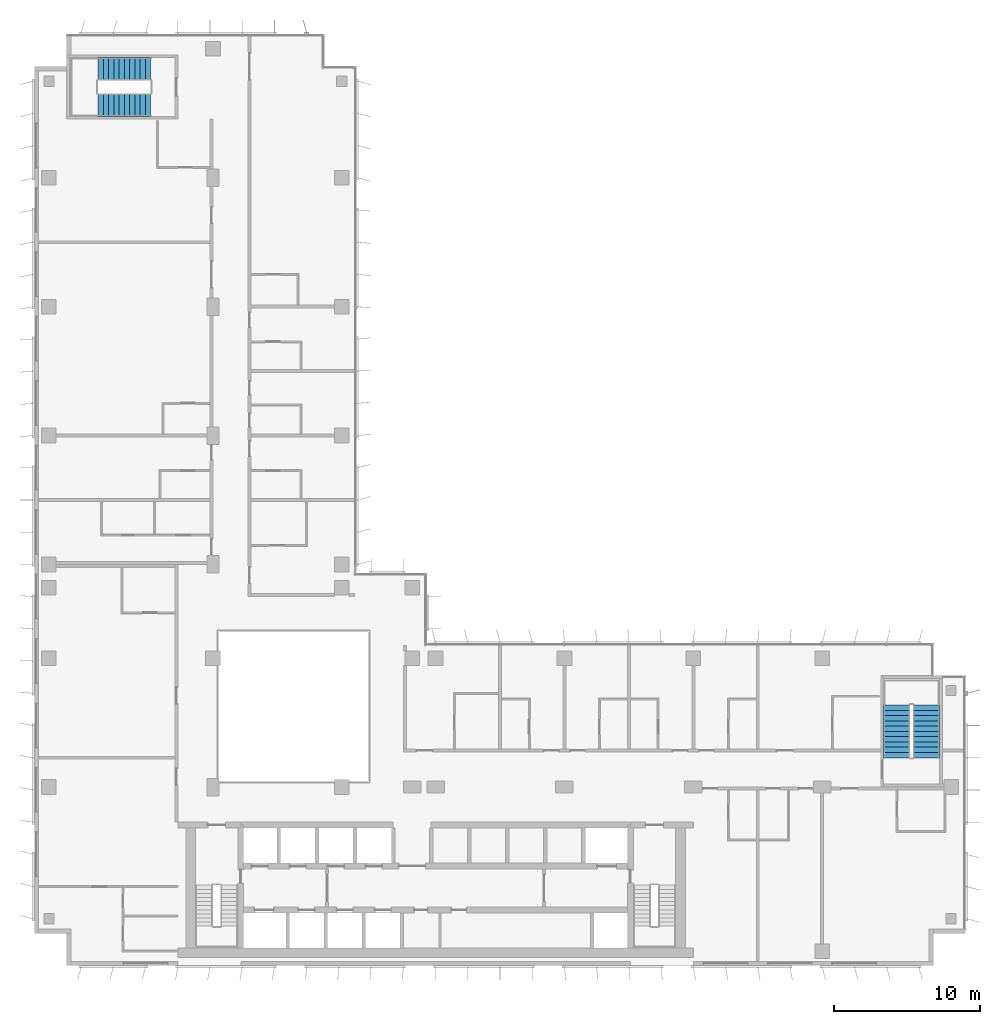
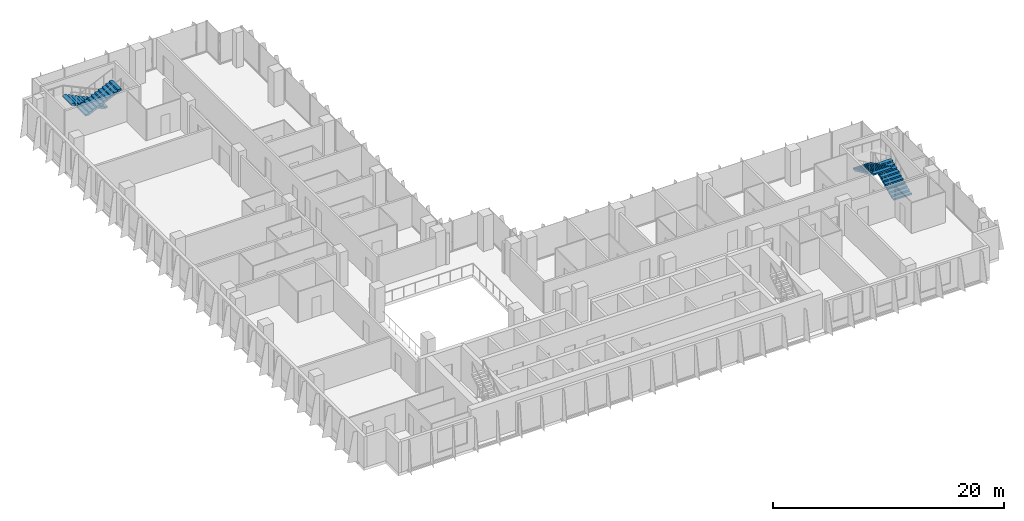
# One storey, part 18 of 21: 4 stair flights, 2 elements without a shape of their own.
"""IFC4 building model written with IfcOpenShell, lengths in metres."""

from ifc_helpers import new_model, si_unit, direction, frame, origin, place, context, subcontext, project, spatial, polyline, outline, extrude, material, type_object, element, aggregate, save


model = new_model("IFC4")

# Units and contexts
model_context = context("Model", 3, precision=1e-05, world=origin(), true_north=direction((0.0, 1.0)))
body_context = subcontext(model_context, "Body", "Model", "MODEL_VIEW")
ifc_project = project(units=[si_unit("LENGTHUNIT", "METRE"), si_unit("AREAUNIT", "SQUARE_METRE"), si_unit("VOLUMEUNIT", "CUBIC_METRE"), si_unit("PLANEANGLEUNIT", "RADIAN"), si_unit("MASSUNIT", "GRAM", prefix="KILO")], contexts=[model_context])

# Site, building, storey
site_placement = place(None, origin())
site = spatial("IfcSite", under=ifc_project, at=site_placement, CompositionType="ELEMENT")
building_placement = place(site_placement, origin())
building = spatial("IfcBuilding", under=site, at=building_placement, Name="Kemantara Hotel Tower", CompositionType="ELEMENT")
storey_placement = place(building_placement, frame((0.0, 0.0, 198.800048828125)))
storey = spatial("IfcBuildingStorey", under=building, at=storey_placement, Name="L49", CompositionType="ELEMENT", Elevation=198.800048828125)

# Stair, stair flights
ifc_material = material(Name="Concrete fc 40 MPa", Category="concrete")
stair_type_1 = type_object("IfcStairType", Name="Stair 1550 wide 22 risers of 168 x 360 mm", PredefinedType="HALF_TURN_STAIR", material=ifc_material)
stair_1_placement = place(storey_placement, origin())
stair_1 = element("IfcStair", 1, at=stair_1_placement, inside=storey, type_object=stair_type_1, Name="L49 Exit stair ST4", PredefinedType="HALF_TURN_STAIR")
stair_flight_type_1 = type_object("IfcStairFlightType", Name="Stair flight 1550 wide 168 x 360 mm", PredefinedType="STRAIGHT", material=ifc_material)
stair_flight_1_placement = place(storey_placement, frame((7.949951171875, 61.22509765625, 0.0), z_axis=(0.0, 0.0, 1.0), x_axis=(-1.0, 0.0, 0.0)))
stair_flight_1 = element("IfcStairFlight", 2, at=stair_flight_1_placement, type_object=stair_flight_type_1, Name="ST4 flight 1", NumberOfRisers=11, NumberOfTreads=10, PredefinedType="STRAIGHT", RiserHeight=0.168181818, TreadLength=0.36, context=body_context, shape_type="SweptSolid", body=[
    extrude(outline(polyline([(0.0, 0.0), (0.0, 0.168212890625), (0.360107421875, 0.168212890625), (0.360107421875, 0.33642578125), (0.719970703125, 0.33642578125), (0.719970703125, 0.504638671875), (1.080078125, 0.504638671875), (1.080078125, 0.672607421875), (1.43994140625, 0.672607421875), (1.43994140625, 0.8408203125), (1.800048828125, 0.8408203125), (1.800048828125, 1.009033203125), (2.159912109375, 1.009033203125), (2.159912109375, 1.17724609375), (2.52001953125, 1.17724609375), (2.52001953125, 1.345458984375), (2.8798828125, 1.345458984375), (2.8798828125, 1.513671875), (3.239990234375, 1.513671875), (3.239990234375, 1.681884765625), (3.60009765625, 1.681884765625), (3.60009765625, 1.85009765625), (3.60009765625, 1.516357421875), (0.354248046875, 0.0), (0.0, 0.0)])), frame((0.0, 0.77490234375, 0.0), z_axis=(0.0, -1.0, 0.0), x_axis=(1.0, 0.0, 0.0)), (0.0, 0.0, 1.0), 1.550048828125),
])
stair_flight_2_placement = place(storey_placement, frame((4.35009765625, 58.77490234375, 1.849853515625), z_axis=(0.0, 0.0, 1.0), x_axis=(1.0, 0.0, 0.0)))
stair_flight_2 = element("IfcStairFlight", 3, at=stair_flight_2_placement, type_object=stair_flight_type_1, Name="ST4 flight 2", NumberOfRisers=11, NumberOfTreads=10, PredefinedType="STRAIGHT", RiserHeight=0.168181818, TreadLength=0.36, context=body_context, shape_type="SweptSolid", body=[
    extrude(outline(polyline([(0.0, 0.0), (0.0, 0.168212890625), (0.360107421875, 0.168212890625), (0.360107421875, 0.33642578125), (0.719970703125, 0.33642578125), (0.719970703125, 0.504638671875), (1.080078125, 0.504638671875), (1.080078125, 0.672607421875), (1.43994140625, 0.672607421875), (1.43994140625, 0.8408203125), (1.800048828125, 0.8408203125), (1.800048828125, 1.009033203125), (2.159912109375, 1.009033203125), (2.159912109375, 1.17724609375), (2.52001953125, 1.17724609375), (2.52001953125, 1.345458984375), (2.8798828125, 1.345458984375), (2.8798828125, 1.513671875), (3.239990234375, 1.513671875), (3.239990234375, 1.681884765625), (3.60009765625, 1.681884765625), (3.60009765625, 1.85009765625), (3.60009765625, 1.516357421875), (0.354248046875, 0.0), (0.0, 0.0)])), frame((0.0, 0.77490234375, 0.0), z_axis=(0.0, -1.0, 0.0), x_axis=(1.0, 0.0, 0.0)), (0.0, 0.0, 1.0), 1.550048828125),
])
aggregate(stair_1, [stair_flight_1, stair_flight_2])

stair_type_2 = type_object("IfcStairType", Name="Stair 1800 wide 22 risers of 168 x 360 mm", PredefinedType="HALF_TURN_STAIR", material=ifc_material)
stair_2_placement = place(storey_placement, origin())
stair_2 = element("IfcStair", 4, at=stair_2_placement, inside=storey, type_object=stair_type_2, Name="L49 Exit stair ST3", PredefinedType="HALF_TURN_STAIR")
stair_flight_type_2 = type_object("IfcStairFlightType", Name="Stair flight 1800 wide 168 x 360 mm", PredefinedType="STRAIGHT", material=ifc_material)
stair_flight_3_placement = place(storey_placement, frame((60.89990234375, 14.199951171875, 0.0), z_axis=(0.0, 0.0, 1.0), x_axis=(0.0, 1.0, 0.0)))
stair_flight_3 = element("IfcStairFlight", 5, at=stair_flight_3_placement, type_object=stair_flight_type_2, Name="ST3 flight 1", NumberOfRisers=11, NumberOfTreads=10, PredefinedType="STRAIGHT", RiserHeight=0.168181818, TreadLength=0.36, context=body_context, shape_type="SweptSolid", body=[
    extrude(outline(polyline([(0.0, 0.0), (0.0, 0.168212890625), (0.360107421875, 0.168212890625), (0.360107421875, 0.33642578125), (0.719970703125, 0.33642578125), (0.719970703125, 0.504638671875), (1.080078125, 0.504638671875), (1.080078125, 0.672607421875), (1.43994140625, 0.672607421875), (1.43994140625, 0.8408203125), (1.800048828125, 0.8408203125), (1.800048828125, 1.009033203125), (2.159912109375, 1.009033203125), (2.159912109375, 1.17724609375), (2.52001953125, 1.17724609375), (2.52001953125, 1.345458984375), (2.8798828125, 1.345458984375), (2.8798828125, 1.513671875), (3.239990234375, 1.513671875), (3.239990234375, 1.681884765625), (3.60009765625, 1.681884765625), (3.60009765625, 1.85009765625), (3.60009765625, 1.516357421875), (0.354248046875, 0.0), (0.0, 0.0)])), frame((0.0, 0.89990234375, 0.0), z_axis=(0.0, -1.0, 0.0), x_axis=(1.0, 0.0, 0.0)), (0.0, 0.0, 1.0), 1.800048828125),
])
stair_flight_4_placement = place(storey_placement, frame((58.89990234375, 17.800048828125, 1.849853515625), z_axis=(0.0, 0.0, 1.0), x_axis=(0.0, -1.0, 0.0)))
stair_flight_4 = element("IfcStairFlight", 6, at=stair_flight_4_placement, type_object=stair_flight_type_2, Name="ST3 flight 2", NumberOfRisers=11, NumberOfTreads=10, PredefinedType="STRAIGHT", RiserHeight=0.168181818, TreadLength=0.36, context=body_context, shape_type="SweptSolid", body=[
    extrude(outline(polyline([(0.0, 0.0), (0.0, 0.168212890625), (0.360107421875, 0.168212890625), (0.360107421875, 0.33642578125), (0.719970703125, 0.33642578125), (0.719970703125, 0.504638671875), (1.080078125, 0.504638671875), (1.080078125, 0.672607421875), (1.43994140625, 0.672607421875), (1.43994140625, 0.8408203125), (1.800048828125, 0.8408203125), (1.800048828125, 1.009033203125), (2.159912109375, 1.009033203125), (2.159912109375, 1.17724609375), (2.52001953125, 1.17724609375), (2.52001953125, 1.345458984375), (2.8798828125, 1.345458984375), (2.8798828125, 1.513671875), (3.239990234375, 1.513671875), (3.239990234375, 1.681884765625), (3.60009765625, 1.681884765625), (3.60009765625, 1.85009765625), (3.60009765625, 1.516357421875), (0.354248046875, 0.0), (0.0, 0.0)])), frame((0.0, 0.89990234375, 0.0), z_axis=(0.0, -1.0, 0.0), x_axis=(1.0, 0.0, 0.0)), (0.0, 0.0, 1.0), 1.800048828125),
])
aggregate(stair_2, [stair_flight_3, stair_flight_4])

save(model, "model.ifc")
